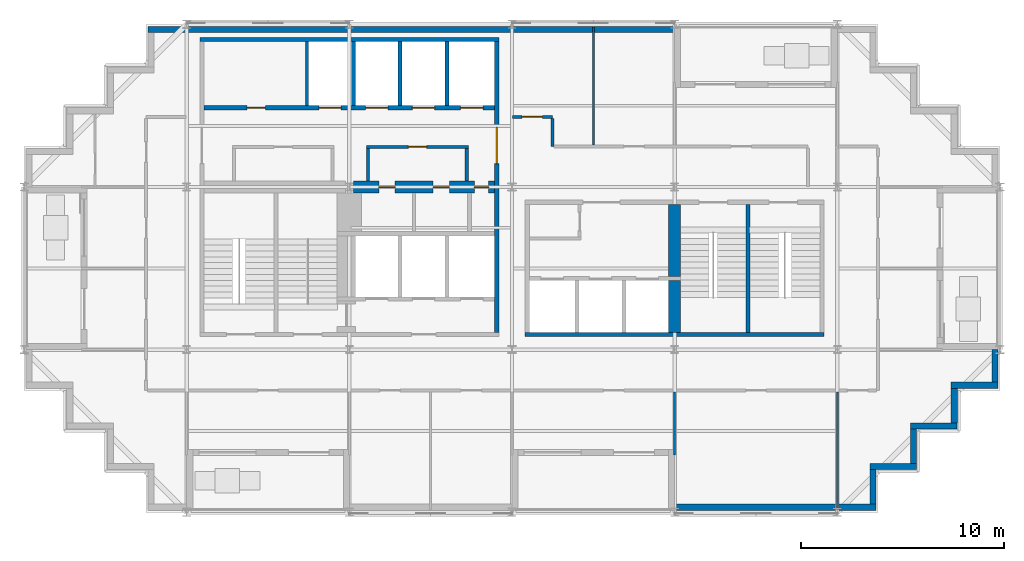
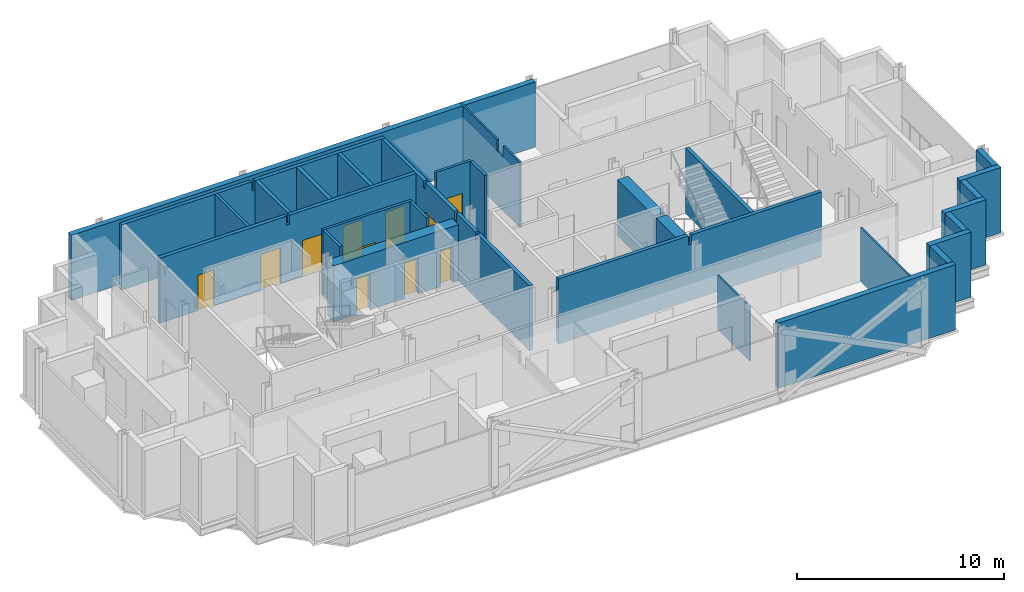
# One storey, part 6 of 10: 29 walls, 11 doors, 11 openings.
"""IFC4 building model written with IfcOpenShell, lengths in metres."""

import ifcopenshell
import ifcopenshell.guid

model = None  # the IFC model being written
_history = None  # IfcOwnerHistory: only IFC2X3 demands one
_inside = {}  # id of a spatial element -> (the spatial element, [elements in it])
_under = {}  # id of a project, library or spatial element -> (it, [spatial elements below it])
_declared = {}  # id of a project -> (the project, [libraries it declares])
_typed = {}  # id of a type object -> (the type object, [elements of that type])
_made_of = {}  # id of a material, layer set ... -> (it, [elements and type objects made of it])


def new_model(schema):
    """Start an empty IFC model of exactly this schema.

    Asked for "IFC4X3", IfcOpenShell would pick the latest addendum, in which some entities
    have other attributes; the version numbers below select the first issue.
    IFC2X3 requires an IfcOwnerHistory on every rooted entity: one is made here for all.
    """
    global model, _history
    if schema == "IFC4X3":
        model = ifcopenshell.file(schema_version=(4, 3, 0, 0))
    else:
        model = ifcopenshell.file(schema=schema)
    _inside.clear()
    _under.clear()
    _declared.clear()
    _typed.clear()
    _made_of.clear()
    _history = None
    if model.schema == "IFC2X3":
        org = make("IfcOrganization", Name="unknown")
        user = make(
            "IfcPersonAndOrganization",
            ThePerson=make("IfcPerson", FamilyName="unknown"),
            TheOrganization=org,
        )
        app = make(
            "IfcApplication",
            ApplicationDeveloper=org,
            Version="unknown",
            ApplicationFullName="unknown",
            ApplicationIdentifier="unknown",
        )
        _history = make(
            "IfcOwnerHistory",
            OwningUser=user,
            OwningApplication=app,
            ChangeAction="ADDED",
            CreationDate=0,
        )
    return model


def make(cls, **values):
    """One entity of the class cls with the attributes given. An attribute that is None is left unset."""
    return model.create_entity(
        cls, **{name: value for name, value in values.items() if value is not None}
    )


def rooted(cls, **values):
    """An entity with a GlobalId (a new one), such as an element, a storey or a relation."""
    return make(cls, GlobalId=ifcopenshell.guid.new(), OwnerHistory=_history, **values)


def si_unit(unit_type, name, prefix=None):
    """IfcSIUnit, for example si_unit("LENGTHUNIT", "METRE", prefix="MILLI")."""
    return make("IfcSIUnit", UnitType=unit_type, Prefix=prefix, Name=name)


def assignment(units):
    """IfcUnitAssignment: the units of a project."""
    return None if units is None else make("IfcUnitAssignment", Units=units)


def point(xyz):
    """IfcCartesianPoint."""
    return None if xyz is None else make("IfcCartesianPoint", Coordinates=xyz)


def direction(xyz):
    """IfcDirection."""
    return None if xyz is None else make("IfcDirection", DirectionRatios=xyz)


def frame(location, z_axis=None, x_axis=None):
    """IfcAxis2Placement3D, a coordinate frame: its origin and axes. An axis left out is left unset."""
    return make(
        "IfcAxis2Placement3D",
        Location=point(location),
        Axis=direction(z_axis),
        RefDirection=direction(x_axis),
    )


def frame_2d(location, x_axis=None):
    """IfcAxis2Placement2D, a coordinate frame in the plane: its origin and x axis."""
    return make(
        "IfcAxis2Placement2D", Location=point(location), RefDirection=direction(x_axis)
    )


def origin():
    """The frame at (0, 0, 0) with its axes left unset."""
    return frame((0.0, 0.0, 0.0))


def place(relative_to, where):
    """IfcLocalPlacement: puts the frame where relative to a parent placement (None: the world)."""
    return make(
        "IfcLocalPlacement", PlacementRelTo=relative_to, RelativePlacement=where
    )


def context(
    kind, dimensions, precision=None, world=None, true_north=None, identifier=None
):
    """IfcGeometricRepresentationContext, for example the 3D "Model" context."""
    return make(
        "IfcGeometricRepresentationContext",
        ContextIdentifier=identifier,
        ContextType=kind,
        CoordinateSpaceDimension=dimensions,
        Precision=precision,
        WorldCoordinateSystem=world,
        TrueNorth=true_north,
    )


def subcontext(parent, identifier, kind, view, scale=None):
    """IfcGeometricRepresentationSubContext, for example "Body" below "Model"."""
    return make(
        "IfcGeometricRepresentationSubContext",
        ContextIdentifier=identifier,
        ContextType=kind,
        ParentContext=parent,
        TargetScale=scale,
        TargetView=view,
    )


def project(units=None, contexts=None):
    """IfcProject with its units and contexts."""
    return rooted(
        "IfcProject",
        Name="project",
        RepresentationContexts=contexts,
        UnitsInContext=assignment(units),
    )


def spatial(cls, under=None, at=None, **own):
    """A site, building, storey or space (cls), placed at a placement, below another one or the project."""
    s = rooted(cls, ObjectPlacement=at, **own)
    if under is not None:
        _under.setdefault(under.id(), (under, []))[1].append(s)
    return s


def polyline(points):
    """IfcPolyline through the points."""
    return make("IfcPolyline", Points=[point(p) for p in points])


def profile(cls, at=None, kind="AREA", **sizes):
    """A parametric profile (cls). Its sizes go by their IFC names, for example OverallWidth=200.0."""
    return make(cls, ProfileType=kind, Position=at, **sizes)


def rectangle(**sizes):
    """IfcRectangleProfileDef."""
    return profile("IfcRectangleProfileDef", **sizes)


def outline(outer, holes=None, kind="AREA"):
    """IfcArbitraryClosedProfileDef: a profile drawn as a closed curve; with holes, ...WithVoids."""
    if holes is None:
        return make("IfcArbitraryClosedProfileDef", ProfileType=kind, OuterCurve=outer)
    return make(
        "IfcArbitraryProfileDefWithVoids",
        ProfileType=kind,
        OuterCurve=outer,
        InnerCurves=holes,
    )


def extrude(swept, where, along, depth):
    """IfcExtrudedAreaSolid: the profile swept, set in the frame where, extruded along a direction by depth."""
    return make(
        "IfcExtrudedAreaSolid",
        SweptArea=swept,
        Position=where,
        ExtrudedDirection=direction(along),
        Depth=depth,
    )


def shape(context_of_items, identifier, shape_type, items):
    """IfcShapeRepresentation: the items that make up one representation, for example the "Body"."""
    return make(
        "IfcShapeRepresentation",
        ContextOfItems=context_of_items,
        RepresentationIdentifier=identifier,
        RepresentationType=shape_type,
        Items=items,
    )


def material(Name=None, Category=None):
    """IfcMaterial."""
    return make("IfcMaterial", Name=Name, Category=Category)


def layer(
    of_material, thickness, ventilated=None, Name=None, Category=None, Priority=None
):
    """IfcMaterialLayer: one layer of a wall or slab, of a material (None: an air gap)."""
    return make(
        "IfcMaterialLayer",
        Material=of_material,
        LayerThickness=thickness,
        IsVentilated=ventilated,
        Name=Name,
        Category=Category,
        Priority=Priority,
    )


def layer_set(layers, Name=None):
    """IfcMaterialLayerSet."""
    return make("IfcMaterialLayerSet", MaterialLayers=layers, LayerSetName=Name)


def made_of(thing, what):
    """Note that an element or type object is made of a material, layer set ...; save() writes the relation."""
    if what is not None:
        _made_of.setdefault(what.id(), (what, []))[1].append(thing)
    return thing


def type_object(cls, material=None, **own):
    """A type object (cls), such as IfcWallType, which elements share."""
    return made_of(rooted(cls, **own), material)


def element(
    cls,
    number,
    at=None,
    inside=None,
    cuts=None,
    type_object=None,
    material=None,
    context=None,
    identifier="Body",
    shape_type=None,
    held_by="IfcProductDefinitionShape",
    body=None,
    shapes=None,
    **own,
):
    """One element of the class cls, such as IfcWall. Its Tag is "e" and its number.

    at: its placement. inside: the storey or other place that contains it. cuts: it is an
    opening in that element (IfcRelVoidsElement). A single representation is given by context,
    identifier, shape_type and body (its items); several are given by shapes. held_by: the class
    of the entity that holds the representations. save() writes the other relations.
    """
    e = rooted(cls, Tag="e%d" % number, ObjectPlacement=at, **own)
    if body is not None:
        shapes = [shape(context, identifier, shape_type, body)]
    if shapes is not None:
        e.Representation = make(held_by, Representations=shapes)
    if inside is not None:
        _inside.setdefault(inside.id(), (inside, []))[1].append(e)
    if cuts is not None:
        rooted(
            "IfcRelVoidsElement", RelatingBuildingElement=cuts, RelatedOpeningElement=e
        )
    if type_object is not None:
        _typed.setdefault(type_object.id(), (type_object, []))[1].append(e)
    return made_of(e, material)


def fill(opening, filler):
    """IfcRelFillsElement: the door or window that sits in an opening."""
    return rooted(
        "IfcRelFillsElement",
        RelatingOpeningElement=opening,
        RelatedBuildingElement=filler,
    )


def aggregate(whole, parts):
    """IfcRelAggregates: a whole, such as a stair, and the parts it consists of."""
    return rooted("IfcRelAggregates", RelatingObject=whole, RelatedObjects=parts)


def save(model, path):
    """Write the relations noted so far, then the file.

    IfcRelAggregates (storeys below a building ...), IfcRelContainedInSpatialStructure (elements
    in a storey), IfcRelDefinesByType, IfcRelAssociatesMaterial and IfcRelDeclares: one each for
    every whole, place, type object, material and project.
    """
    for whole, parts in _under.values():
        aggregate(whole, parts)
    for where, things in _inside.values():
        rooted(
            "IfcRelContainedInSpatialStructure",
            RelatedElements=things,
            RelatingStructure=where,
        )
    for kind, things in _typed.values():
        rooted("IfcRelDefinesByType", RelatedObjects=things, RelatingType=kind)
    for what, things in _made_of.values():
        rooted("IfcRelAssociatesMaterial", RelatedObjects=things, RelatingMaterial=what)
    for by, libraries in _declared.values():
        rooted("IfcRelDeclares", RelatingContext=by, RelatedDefinitions=libraries)
    model.write(path)


model = new_model("IFC4")

# Units and contexts
model_context = context("Model", 3, precision=1e-05, world=origin(), true_north=direction((0.0, 1.0)))
body_context = subcontext(model_context, "Body", "Model", "MODEL_VIEW")
ifc_project = project(units=[si_unit("LENGTHUNIT", "METRE"), si_unit("AREAUNIT", "SQUARE_METRE"), si_unit("VOLUMEUNIT", "CUBIC_METRE"), si_unit("PLANEANGLEUNIT", "RADIAN"), si_unit("MASSUNIT", "GRAM", prefix="KILO")], contexts=[model_context])

# Site, building, storey
site_placement = place(None, origin())
site = spatial("IfcSite", under=ifc_project, at=site_placement, CompositionType="ELEMENT")
building_placement = place(site_placement, origin())
building = spatial("IfcBuilding", under=site, at=building_placement, Name="Immortelle Media Tower", CompositionType="ELEMENT")
storey_placement = place(building_placement, frame((0.0, 0.0, 217.0)))
storey = spatial("IfcBuildingStorey", under=building, at=storey_placement, Name="L46", CompositionType="ELEMENT", Elevation=217.0)

# Wall, openings, doors
ifc_material_1 = material(Name="Fire-rated masonry blockwork", Category="masonry")
ifc_layer_1 = layer(ifc_material_1, 0.60009765625)
ifc_layer_set_1 = layer_set([ifc_layer_1], Name="Fire-rated masonry blockwork")
wall_type_1 = type_object("IfcWallType", Name="Core grid-line wall 600", PredefinedType="PARTITIONING", material=ifc_layer_set_1)
wall_1_placement = place(storey_placement, frame((16.196533203125, 16.0, 0.0), z_axis=(0.0, 0.0, 1.0), x_axis=(1.0, 0.0, 0.0)))
wall_1 = element("IfcWall", 1, at=wall_1_placement, inside=storey, type_object=wall_type_1, Name="Core grid-line wall SW", PredefinedType="PARTITIONING", context=body_context, shape_type="SweptSolid", body=[
    extrude(rectangle(XDim=6.953369140625, YDim=0.60009765625, at=frame_2d((3.4765625, 0.0))), origin(), (0.0, 0.0, 1.0), 3.30810546875),
])
opening_1_placement = place(wall_1_placement, frame((2.053466796875, 0.0, 0.0), z_axis=(0.0, 0.0, 1.0), x_axis=(-1.0, 0.0, 0.0)))
opening_1 = element("IfcOpeningElement", 2, at=opening_1_placement, cuts=wall_1, Name="Opening O4-K010", PredefinedType="OPENING", context=body_context, shape_type="SweptSolid", body=[
    extrude(rectangle(XDim=0.800048828125, YDim=2.10009765625, at=frame_2d((0.39990234375, 1.050048828125))), frame((0.0, 0.31005859375, 0.0), z_axis=(0.0, -1.0, 0.0), x_axis=(1.0, 0.0, 0.0)), (0.0, 0.0, 1.0), 0.6201171875),
])
opening_2_placement = place(wall_1_placement, frame((4.728515625, 0.0, 0.0), z_axis=(0.0, 0.0, 1.0), x_axis=(-1.0, 0.0, 0.0)))
opening_2 = element("IfcOpeningElement", 3, at=opening_2_placement, cuts=wall_1, Name="Opening O4-K015", PredefinedType="OPENING", context=body_context, shape_type="SweptSolid", body=[
    extrude(rectangle(XDim=0.800048828125, YDim=2.10009765625, at=frame_2d((0.39990234375, 1.050048828125))), frame((0.0, 0.31005859375, 0.0), z_axis=(0.0, -1.0, 0.0), x_axis=(1.0, 0.0, 0.0)), (0.0, 0.0, 1.0), 0.6201171875),
])
opening_3_placement = place(wall_1_placement, frame((6.653564453125, 0.0, 0.0), z_axis=(0.0, 0.0, 1.0), x_axis=(-1.0, 0.0, 0.0)))
opening_3 = element("IfcOpeningElement", 4, at=opening_3_placement, cuts=wall_1, Name="Opening O4-K018", PredefinedType="OPENING", context=body_context, shape_type="SweptSolid", body=[
    extrude(rectangle(XDim=0.699951171875, YDim=2.10009765625, at=frame_2d((0.35009765625, 1.050048828125))), frame((0.0, 0.31005859375, 0.0), z_axis=(0.0, -1.0, 0.0), x_axis=(1.0, 0.0, 0.0)), (0.0, 0.0, 1.0), 0.6201171875),
])
ifc_material_2 = material(Name="Galvanised steel door leaf and frame ASTM A653", Category="steel")
door_type_1 = type_object("IfcDoorType", Name="Service door 700 x 2100", OperationType="NOTDEFINED", PredefinedType="NOTDEFINED", material=ifc_material_2)
door_1_placement = place(opening_3_placement, origin())
door_1 = element("IfcDoor", 5, at=door_1_placement, inside=storey, type_object=door_type_1, Name="Service O4-K018", OperationType="SINGLE_SWING_LEFT", OverallHeight=2.10009765625, OverallWidth=0.699951171875, PredefinedType="NOTDEFINED", context=body_context, shape_type="SweptSolid", body=[
    extrude(rectangle(XDim=0.699951171875, YDim=2.10009765625, at=frame_2d((0.35009765625, 1.050048828125))), frame((0.0, 0.02490234375, 0.0), z_axis=(0.0, -1.0, 0.0), x_axis=(1.0, 0.0, 0.0)), (0.0, 0.0, 1.0), 0.050048828125),
])
fill(opening_3, door_1)
ifc_material_3 = material(Name="Timber", Category="wood")
door_type_2 = type_object("IfcDoorType", Name="Toilet door 800 x 2100", OperationType="NOTDEFINED", PredefinedType="NOTDEFINED", material=ifc_material_3)
door_2_placement = place(opening_1_placement, origin())
door_2 = element("IfcDoor", 6, at=door_2_placement, inside=storey, type_object=door_type_2, Name="Toilet O4-K010", OperationType="SINGLE_SWING_LEFT", OverallHeight=2.10009765625, OverallWidth=0.800048828125, PredefinedType="NOTDEFINED", context=body_context, shape_type="SweptSolid", body=[
    extrude(rectangle(XDim=0.800048828125, YDim=2.10009765625, at=frame_2d((0.39990234375, 1.050048828125))), frame((0.0, 0.02490234375, 0.0), z_axis=(0.0, -1.0, 0.0), x_axis=(1.0, 0.0, 0.0)), (0.0, 0.0, 1.0), 0.050048828125),
])
fill(opening_1, door_2)
door_3_placement = place(opening_2_placement, origin())
door_3 = element("IfcDoor", 7, at=door_3_placement, inside=storey, type_object=door_type_2, Name="Toilet O4-K015", OperationType="SINGLE_SWING_LEFT", OverallHeight=2.10009765625, OverallWidth=0.800048828125, PredefinedType="NOTDEFINED", context=body_context, shape_type="SweptSolid", body=[
    extrude(rectangle(XDim=0.800048828125, YDim=2.10009765625, at=frame_2d((0.39990234375, 1.050048828125))), frame((0.0, 0.02490234375, 0.0), z_axis=(0.0, -1.0, 0.0), x_axis=(1.0, 0.0, 0.0)), (0.0, 0.0, 1.0), 0.050048828125),
])
fill(opening_2, door_3)

# Walls
ifc_material_4 = material(Name="Fire-rated gypsum board", Category="gypsum")
ifc_layer_2 = layer(ifc_material_4, 0.02490234375)
ifc_material_5 = material(Name="Steel ASTM A653 SS Gr 50 stud frame with mineral wool", Category="steel")
ifc_layer_3 = layer(ifc_material_5, 0.10009765625)
ifc_layer_4 = layer(ifc_material_4, 0.02490234375)
ifc_layer_set_2 = layer_set([ifc_layer_2, ifc_layer_3, ifc_layer_4], Name="Steel ASTM A653 SS Gr 50 stud frame with mineral wool")
wall_type_2 = type_object("IfcWallType", Name="Core partition 150", PredefinedType="PARTITIONING", material=ifc_layer_set_2)
wall_2_placement = place(storey_placement, frame((13.925048828125, 20.0, 0.0), z_axis=(0.0, 0.0, 1.0), x_axis=(0.0, 1.0, 0.0)))
element("IfcWall", 8, at=wall_2_placement, inside=storey, type_object=wall_type_2, Name="Core partition SW", PredefinedType="PARTITIONING", context=body_context, shape_type="SweptSolid", body=[
    extrude(rectangle(XDim=3.14990234375, YDim=0.14990234375, at=frame_2d((1.574951171875, 0.0))), origin(), (0.0, 0.0, 1.0), 3.85009765625),
])
wall_3_placement = place(storey_placement, frame((16.925048828125, 16.300048828125, 0.0), z_axis=(0.0, 0.0, 1.0), x_axis=(0.0, 1.0, 0.0)))
element("IfcWall", 9, at=wall_3_placement, inside=storey, type_object=wall_type_2, Name="Core partition SW", PredefinedType="PARTITIONING", context=body_context, shape_type="SweptSolid", body=[
    extrude(rectangle(XDim=1.599853515625, YDim=0.14990234375, at=frame_2d((0.7998046875, 0.0))), origin(), (0.0, 0.0, 1.0), 3.85009765625),
])

# Wall, opening, door
wall_4_placement = place(storey_placement, frame((16.85009765625, 17.97509765625, 0.0), z_axis=(0.0, 0.0, 1.0), x_axis=(1.0, 0.0, 0.0)))
wall_4 = element("IfcWall", 10, at=wall_4_placement, inside=storey, type_object=wall_type_2, Name="Core partition SW", PredefinedType="PARTITIONING", context=body_context, shape_type="SweptSolid", body=[
    extrude(rectangle(XDim=5.0, YDim=0.14990234375, at=frame_2d((2.5, 0.0))), origin(), (0.0, 0.0, 1.0), 3.85009765625),
])
opening_4_placement = place(wall_4_placement, frame((2.949951171875, 0.0, 0.0), z_axis=(0.0, 0.0, 1.0), x_axis=(-1.0, 0.0, 0.0)))
opening_4 = element("IfcOpeningElement", 11, at=opening_4_placement, cuts=wall_4, Name="Opening O4-K011", PredefinedType="OPENING", context=body_context, shape_type="SweptSolid", body=[
    extrude(rectangle(XDim=0.89990234375, YDim=2.10009765625, at=frame_2d((0.449951171875, 1.050048828125))), frame((0.0, 0.0849609375, 0.0), z_axis=(0.0, -1.0, 0.0), x_axis=(1.0, 0.0, 0.0)), (0.0, 0.0, 1.0), 0.169921875),
])
door_type_3 = type_object("IfcDoorType", Name="Room door 900 x 2100", OperationType="NOTDEFINED", PredefinedType="NOTDEFINED", material=ifc_material_3)
door_4_placement = place(opening_4_placement, origin())
door_4 = element("IfcDoor", 12, at=door_4_placement, inside=storey, type_object=door_type_3, Name="Room O4-K011", OperationType="SINGLE_SWING_LEFT", OverallHeight=2.10009765625, OverallWidth=0.89990234375, PredefinedType="NOTDEFINED", context=body_context, shape_type="SweptSolid", body=[
    extrude(rectangle(XDim=0.89990234375, YDim=2.10009765625, at=frame_2d((0.449951171875, 1.050048828125))), frame((0.0, 0.02490234375, 0.0), z_axis=(0.0, -1.0, 0.0), x_axis=(1.0, 0.0, 0.0)), (0.0, 0.0, 1.0), 0.050048828125),
])
fill(opening_4, door_4)

# Walls
wall_5_placement = place(storey_placement, frame((21.77490234375, 16.300048828125, 0.0), z_axis=(0.0, 0.0, 1.0), x_axis=(0.0, 1.0, 0.0)))
element("IfcWall", 13, at=wall_5_placement, inside=storey, type_object=wall_type_2, Name="Core partition SW", PredefinedType="PARTITIONING", context=body_context, shape_type="SweptSolid", body=[
    extrude(rectangle(XDim=1.599853515625, YDim=0.14990234375, at=frame_2d((0.7998046875, 0.0))), origin(), (0.0, 0.0, 1.0), 3.85009765625),
])
ifc_layer_5 = layer(ifc_material_4, 0.03759765625)
ifc_layer_6 = layer(ifc_material_5, 0.125)
ifc_layer_7 = layer(ifc_material_4, 0.03759765625)
ifc_layer_set_3 = layer_set([ifc_layer_5, ifc_layer_6, ifc_layer_7], Name="Steel ASTM A653 SS Gr 50 stud frame with mineral wool")
wall_type_3 = type_object("IfcWallType", Name="Core shaft wall 200", PredefinedType="PARTITIONING", material=ifc_layer_set_3)
wall_6_placement = place(storey_placement, frame((8.64990234375, 23.25, 0.0), z_axis=(0.0, 0.0, 1.0), x_axis=(1.0, 0.0, 0.0)))
element("IfcWall", 14, at=wall_6_placement, inside=storey, type_object=wall_type_3, Name="Core shaft wall SW", PredefinedType="PARTITIONING", context=body_context, shape_type="SweptSolid", body=[
    extrude(outline(polyline([(0.0, 0.0), (14.7001953125, 0.0), (14.699951171875, 3.85009765625), (7.4384765625, 3.85009765625), (7.4375, 3.30810546875), (7.262451171875, 3.30810546875), (7.261474609375, 3.85009765625), (0.0, 3.85009765625), (0.0, 0.0)])), frame((0.0, 0.10009765625, 0.0), z_axis=(0.0, -1.0, 0.0), x_axis=(1.0, 0.0, 0.0)), (0.0, 0.0, 1.0), 0.199951171875),
])

# Wall, openings, doors
wall_7_placement = place(storey_placement, frame((8.85009765625, 19.89990234375, 0.0), z_axis=(0.0, 0.0, 1.0), x_axis=(1.0, 0.0, 0.0)))
wall_7 = element("IfcWall", 15, at=wall_7_placement, inside=storey, type_object=wall_type_3, Name="Core shaft wall SW", PredefinedType="PARTITIONING", context=body_context, shape_type="SweptSolid", body=[
    extrude(outline(polyline([(0.0, 0.0), (14.2998046875, 0.0), (14.300048828125, 3.85009765625), (7.238525390625, 3.85009765625), (7.237548828125, 3.30810546875), (7.0625, 3.30810546875), (7.0615234375, 3.85009765625), (0.0, 3.85009765625), (0.0, 0.0)])), frame((0.0, 0.10009765625, 0.0), z_axis=(0.0, -1.0, 0.0), x_axis=(1.0, 0.0, 0.0)), (0.0, 0.0, 1.0), 0.199951171875),
])
opening_5_placement = place(wall_7_placement, frame((2.125, 0.0, 0.0)))
opening_5 = element("IfcOpeningElement", 16, at=opening_5_placement, cuts=wall_7, Name="Opening O4-K003", PredefinedType="OPENING", context=body_context, shape_type="SweptSolid", body=[
    extrude(rectangle(XDim=0.89990234375, YDim=2.10009765625, at=frame_2d((0.449951171875, 1.050048828125))), frame((0.0, 0.10986328125, 0.0), z_axis=(0.0, -1.0, 0.0), x_axis=(1.0, 0.0, 0.0)), (0.0, 0.0, 1.0), 0.219970703125),
])
opening_6_placement = place(wall_7_placement, frame((5.64990234375, 0.0, 0.0)))
opening_6 = element("IfcOpeningElement", 17, at=opening_6_placement, cuts=wall_7, Name="Opening LD", PredefinedType="OPENING", context=body_context, shape_type="SweptSolid", body=[
    extrude(rectangle(XDim=1.10009765625, YDim=2.10009765625, at=frame_2d((0.550048828125, 1.050048828125))), frame((0.0, 0.10986328125, 0.0), z_axis=(0.0, -1.0, 0.0), x_axis=(1.0, 0.0, 0.0)), (0.0, 0.0, 1.0), 0.219970703125),
])
opening_7_placement = place(wall_7_placement, frame((7.949951171875, 0.0, 0.0)))
opening_7 = element("IfcOpeningElement", 18, at=opening_7_placement, cuts=wall_7, Name="Opening LD", PredefinedType="OPENING", context=body_context, shape_type="SweptSolid", body=[
    extrude(rectangle(XDim=1.10009765625, YDim=2.10009765625, at=frame_2d((0.550048828125, 1.050048828125))), frame((0.0, 0.10986328125, 0.0), z_axis=(0.0, -1.0, 0.0), x_axis=(1.0, 0.0, 0.0)), (0.0, 0.0, 1.0), 0.219970703125),
])
opening_8_placement = place(wall_7_placement, frame((10.25, 0.0, 0.0)))
opening_8 = element("IfcOpeningElement", 19, at=opening_8_placement, cuts=wall_7, Name="Opening LD", PredefinedType="OPENING", context=body_context, shape_type="SweptSolid", body=[
    extrude(rectangle(XDim=1.10009765625, YDim=2.10009765625, at=frame_2d((0.550048828125, 1.050048828125))), frame((0.0, 0.10986328125, 0.0), z_axis=(0.0, -1.0, 0.0), x_axis=(1.0, 0.0, 0.0)), (0.0, 0.0, 1.0), 0.219970703125),
])
opening_9_placement = place(wall_7_placement, frame((12.625, 0.0, 0.0)))
opening_9 = element("IfcOpeningElement", 20, at=opening_9_placement, cuts=wall_7, Name="Opening LD", PredefinedType="OPENING", context=body_context, shape_type="SweptSolid", body=[
    extrude(rectangle(XDim=1.10009765625, YDim=2.10009765625, at=frame_2d((0.550048828125, 1.050048828125))), frame((0.0, 0.10986328125, 0.0), z_axis=(0.0, -1.0, 0.0), x_axis=(1.0, 0.0, 0.0)), (0.0, 0.0, 1.0), 0.219970703125),
])
ifc_material_6 = material(Name="Stainless steel AISI 304", Category="steel")
door_type_4 = type_object("IfcDoorType", Name="Landing door 1100 x 2100", OperationType="SLIDING_TO_LEFT", PredefinedType="NOTDEFINED", material=ifc_material_6)
door_5_placement = place(opening_6_placement, origin())
door_5 = element("IfcDoor", 21, at=door_5_placement, inside=storey, type_object=door_type_4, Name="Landing door HR1 L46", OperationType="SLIDING_TO_LEFT", OverallHeight=2.10009765625, OverallWidth=1.10009765625, PredefinedType="NOTDEFINED", context=body_context, shape_type="SweptSolid", body=[
    extrude(rectangle(XDim=1.10009765625, YDim=2.10009765625, at=frame_2d((0.550048828125, 1.050048828125))), frame((0.0, 0.02490234375, 0.0), z_axis=(0.0, -1.0, 0.0), x_axis=(1.0, 0.0, 0.0)), (0.0, 0.0, 1.0), 0.050048828125),
])
fill(opening_6, door_5)
door_6_placement = place(opening_7_placement, origin())
door_6 = element("IfcDoor", 22, at=door_6_placement, inside=storey, type_object=door_type_4, Name="Landing door HR2 L46", OperationType="SLIDING_TO_LEFT", OverallHeight=2.10009765625, OverallWidth=1.10009765625, PredefinedType="NOTDEFINED", context=body_context, shape_type="SweptSolid", body=[
    extrude(rectangle(XDim=1.10009765625, YDim=2.10009765625, at=frame_2d((0.550048828125, 1.050048828125))), frame((0.0, 0.02490234375, 0.0), z_axis=(0.0, -1.0, 0.0), x_axis=(1.0, 0.0, 0.0)), (0.0, 0.0, 1.0), 0.050048828125),
])
fill(opening_7, door_6)
door_7_placement = place(opening_8_placement, origin())
door_7 = element("IfcDoor", 23, at=door_7_placement, inside=storey, type_object=door_type_4, Name="Landing door HR3 L46", OperationType="SLIDING_TO_LEFT", OverallHeight=2.10009765625, OverallWidth=1.10009765625, PredefinedType="NOTDEFINED", context=body_context, shape_type="SweptSolid", body=[
    extrude(rectangle(XDim=1.10009765625, YDim=2.10009765625, at=frame_2d((0.550048828125, 1.050048828125))), frame((0.0, 0.02490234375, 0.0), z_axis=(0.0, -1.0, 0.0), x_axis=(1.0, 0.0, 0.0)), (0.0, 0.0, 1.0), 0.050048828125),
])
fill(opening_8, door_7)
door_8_placement = place(opening_9_placement, origin())
door_8 = element("IfcDoor", 24, at=door_8_placement, inside=storey, type_object=door_type_4, Name="Landing door HR4 L46", OperationType="SLIDING_TO_LEFT", OverallHeight=2.10009765625, OverallWidth=1.10009765625, PredefinedType="NOTDEFINED", context=body_context, shape_type="SweptSolid", body=[
    extrude(rectangle(XDim=1.10009765625, YDim=2.10009765625, at=frame_2d((0.550048828125, 1.050048828125))), frame((0.0, 0.02490234375, 0.0), z_axis=(0.0, -1.0, 0.0), x_axis=(1.0, 0.0, 0.0)), (0.0, 0.0, 1.0), 0.050048828125),
])
fill(opening_9, door_8)
door_9_placement = place(opening_5_placement, origin())
door_9 = element("IfcDoor", 25, at=door_9_placement, inside=storey, type_object=door_type_3, Name="Room O4-K003", OperationType="SINGLE_SWING_RIGHT", OverallHeight=2.10009765625, OverallWidth=0.89990234375, PredefinedType="NOTDEFINED", context=body_context, shape_type="SweptSolid", body=[
    extrude(rectangle(XDim=0.89990234375, YDim=2.10009765625, at=frame_2d((0.449951171875, 1.050048828125))), frame((0.0, 0.02490234375, 0.0), z_axis=(0.0, -1.0, 0.0), x_axis=(1.0, 0.0, 0.0)), (0.0, 0.0, 1.0), 0.050048828125),
])
fill(opening_5, door_9)

# Walls
for number, where, z_axis, x_axis, name in (
    (26, (16.199951171875, 20.0, 0.0), (0.0, 0.0, 1.0), (0.0, 1.0, 0.0), "Core shaft wall SW"),
    (27, (18.5, 20.0, 0.0), (0.0, 0.0, 1.0), (0.0, 1.0, 0.0), "Core shaft wall SW"),
    (28, (20.800048828125, 20.0, 0.0), (0.0, 0.0, 1.0), (0.0, 1.0, 0.0), "Core shaft wall SW"),
):
    element("IfcWall", number, at=place(storey_placement, frame(where, z_axis=z_axis, x_axis=x_axis)), inside=storey, type_object=wall_type_3, Name=name, PredefinedType="PARTITIONING", context=body_context, shape_type="SweptSolid", body=[
        extrude(rectangle(XDim=3.14990234375, YDim=0.199951171875, at=frame_2d((1.574951171875, 0.0))), origin(), (0.0, 0.0, 1.0), 3.85009765625),
    ])

# Wall, opening, door
wall_8_placement = place(storey_placement, frame((23.25, 8.85009765625, 0.0), z_axis=(0.0, 0.0, 1.0), x_axis=(0.0, 1.0, 0.0)))
wall_8 = element("IfcWall", 29, at=wall_8_placement, inside=storey, type_object=wall_type_3, Name="Core shaft wall SW", PredefinedType="PARTITIONING", context=body_context, shape_type="SweptSolid", body=[
    extrude(outline(polyline([(0.0, 0.0), (14.2998046875, 0.0), (14.300048828125, 3.85009765625), (10.22509765625, 3.85009765625), (10.22412109375, 3.43994140625), (10.075927734375, 3.43994140625), (10.074951171875, 3.85009765625), (7.238525390625, 3.85009765625), (7.237548828125, 3.30810546875), (7.0625, 3.30810546875), (7.0615234375, 3.85009765625), (5.22509765625, 3.85009765625), (5.22412109375, 3.43994140625), (5.075927734375, 3.43994140625), (5.074951171875, 3.85009765625), (0.0, 3.85009765625), (0.0, 0.0)])), frame((0.0, 0.10009765625, 0.0), z_axis=(0.0, -1.0, 0.0), x_axis=(1.0, 0.0, 0.0)), (0.0, 0.0, 1.0), 0.199951171875),
])
opening_10_placement = place(wall_8_placement, frame((8.300048828125, 0.0, 0.0)))
opening_10 = element("IfcOpeningElement", 30, at=opening_10_placement, cuts=wall_8, Name="Opening O4-K019", PredefinedType="OPENING", context=body_context, shape_type="SweptSolid", body=[
    extrude(rectangle(XDim=1.800048828125, YDim=2.10009765625, at=frame_2d((0.89990234375, 1.050048828125))), frame((0.0, 0.10986328125, 0.0), z_axis=(0.0, -1.0, 0.0), x_axis=(1.0, 0.0, 0.0)), (0.0, 0.0, 1.0), 0.219970703125),
])
door_type_5 = type_object("IfcDoorType", Name="Lift lobby door 1800 x 2100", OperationType="DOUBLE_DOOR_SINGLE_SWING", PredefinedType="NOTDEFINED", material=ifc_material_2)
door_10_placement = place(opening_10_placement, origin())
door_10 = element("IfcDoor", 31, at=door_10_placement, inside=storey, type_object=door_type_5, Name="Lift lobby O4-K019", OperationType="DOUBLE_DOOR_SINGLE_SWING", OverallHeight=2.10009765625, OverallWidth=1.800048828125, PredefinedType="NOTDEFINED", context=body_context, shape_type="SweptSolid", body=[
    extrude(rectangle(XDim=1.800048828125, YDim=2.10009765625, at=frame_2d((0.89990234375, 1.050048828125))), frame((0.0, 0.02490234375, 0.0), z_axis=(0.0, -1.0, 0.0), x_axis=(1.0, 0.0, 0.0)), (0.0, 0.0, 1.0), 0.050048828125),
])
fill(opening_10, door_10)

# Wall
ifc_layer_8 = layer(ifc_material_4, 0.012451171875)
ifc_layer_9 = layer(ifc_material_5, 0.125)
ifc_layer_10 = layer(ifc_material_4, 0.012451171875)
ifc_layer_set_4 = layer_set([ifc_layer_8, ifc_layer_9, ifc_layer_10], Name="Steel ASTM A653 SS Gr 50 stud frame with mineral wool")
wall_type_4 = type_object("IfcWallType", Name="Corridor wall 150", PredefinedType="PARTITIONING", material=ifc_layer_set_4)
wall_9_placement = place(storey_placement, frame((26.0, 18.0, 0.0), z_axis=(0.0, 0.0, 1.0), x_axis=(0.0, 1.0, 0.0)))
element("IfcWall", 32, at=wall_9_placement, inside=storey, type_object=wall_type_4, Name="Partition L46-021", PredefinedType="PARTITIONING", context=body_context, shape_type="SweptSolid", body=[
    extrude(rectangle(XDim=1.375, YDim=0.14990234375, at=frame_2d((0.6875, 0.0))), origin(), (0.0, 0.0, 1.0), 3.85009765625),
])

# Wall, opening, door
wall_10_placement = place(storey_placement, frame((24.030029296875, 19.449951171875, 0.0), z_axis=(0.0, 0.0, 1.0), x_axis=(1.0, 0.0, 0.0)))
wall_10 = element("IfcWall", 33, at=wall_10_placement, inside=storey, type_object=wall_type_4, Name="Partition L46-027", PredefinedType="PARTITIONING", context=body_context, shape_type="SweptSolid", body=[
    extrude(rectangle(XDim=1.969970703125, YDim=0.14990234375, at=frame_2d((0.98486328125, 0.0))), origin(), (0.0, 0.0, 1.0), 3.85009765625),
])
opening_11_placement = place(wall_10_placement, frame((0.469970703125, 0.0, 0.0)))
opening_11 = element("IfcOpeningElement", 34, at=opening_11_placement, cuts=wall_10, Name="Opening O4-F016", PredefinedType="OPENING", context=body_context, shape_type="SweptSolid", body=[
    extrude(rectangle(XDim=1.0, YDim=2.10009765625, at=frame_2d((0.5, 1.050048828125))), frame((0.0, 0.0849609375, 0.0), z_axis=(0.0, -1.0, 0.0), x_axis=(1.0, 0.0, 0.0)), (0.0, 0.0, 1.0), 0.169921875),
])
ifc_material_7 = material(Name="Timber veneered door leaf, galvanised steel frame ASTM A653", Category="steel")
door_type_6 = type_object("IfcDoorType", Name="Room door 1000 x 2100", OperationType="NOTDEFINED", PredefinedType="DOOR", material=ifc_material_7)
door_11_placement = place(opening_11_placement, origin())
door_11 = element("IfcDoor", 35, at=door_11_placement, inside=storey, type_object=door_type_6, Name="Door O4-F016", OperationType="SINGLE_SWING_LEFT", OverallHeight=2.10009765625, OverallWidth=1.0, PredefinedType="DOOR", context=body_context, shape_type="SweptSolid", body=[
    extrude(rectangle(XDim=1.0, YDim=2.10009765625, at=frame_2d((0.5, 1.050048828125))), frame((0.0, 0.02490234375, 0.0), z_axis=(0.0, -1.0, 0.0), x_axis=(1.0, 0.0, 0.0)), (0.0, 0.0, 1.0), 0.050048828125),
])
fill(opening_11, door_11)

# Walls
ifc_material_8 = material(Name="Pale aluminium cladding panel", Category="aluminium")
ifc_layer_11 = layer(ifc_material_8, 0.030029296875)
ifc_layer_12 = layer(ifc_material_5, 0.257568359375)
ifc_material_9 = material(Name="Moisture-resistant gypsum board", Category="gypsum")
ifc_layer_13 = layer(ifc_material_9, 0.012451171875)
ifc_layer_set_5 = layer_set([ifc_layer_11, ifc_layer_12, ifc_layer_13], Name="Steel ASTM A653 SS Gr 50 stud frame with mineral wool")
wall_type_5 = type_object("IfcWallType", Name="Facade wall 300", PredefinedType="SOLIDWALL", material=ifc_layer_set_5)
wall_11_placement = place(storey_placement, frame((32.0, 0.25, 0.0), z_axis=(0.0, 0.0, 1.0), x_axis=(1.0, 0.0, 0.0)))
element("IfcWall", 36, at=wall_11_placement, inside=storey, type_object=wall_type_5, Name="Facade wall L46 S6", PredefinedType="SOLIDWALL", context=body_context, shape_type="SweptSolid", body=[
    extrude(rectangle(XDim=9.89990234375, YDim=0.300048828125, at=frame_2d((4.949951171875, 0.0))), origin(), (0.0, 0.0, 1.0), 3.85009765625),
])
wall_12_placement = place(storey_placement, frame((41.75, 0.39990234375, 0.0), z_axis=(0.0, 0.0, 1.0), x_axis=(0.0, 1.0, 0.0)))
element("IfcWall", 37, at=wall_12_placement, inside=storey, type_object=wall_type_5, Name="Facade wall L46 E7", PredefinedType="SOLIDWALL", context=body_context, shape_type="SweptSolid", body=[
    extrude(rectangle(XDim=1.7001953125, YDim=0.300048828125, at=frame_2d((0.85009765625, 0.0))), origin(), (0.0, 0.0, 1.0), 3.85009765625),
])
wall_13_placement = place(storey_placement, frame((41.60009765625, 2.25, 0.0), z_axis=(0.0, 0.0, 1.0), x_axis=(1.0, 0.0, 0.0)))
element("IfcWall", 38, at=wall_13_placement, inside=storey, type_object=wall_type_5, Name="Facade wall L46 S8", PredefinedType="SOLIDWALL", context=body_context, shape_type="SweptSolid", body=[
    extrude(rectangle(XDim=2.2998046875, YDim=0.300048828125, at=frame_2d((1.14990234375, 0.0))), origin(), (0.0, 0.0, 1.0), 3.85009765625),
])
wall_14_placement = place(storey_placement, frame((43.75, 2.39990234375, 0.0), z_axis=(0.0, 0.0, 1.0), x_axis=(0.0, 1.0, 0.0)))
element("IfcWall", 39, at=wall_14_placement, inside=storey, type_object=wall_type_5, Name="Facade wall L46 E9", PredefinedType="SOLIDWALL", context=body_context, shape_type="SweptSolid", body=[
    extrude(rectangle(XDim=1.7001953125, YDim=0.300048828125, at=frame_2d((0.85009765625, 0.0))), origin(), (0.0, 0.0, 1.0), 3.85009765625),
])
wall_15_placement = place(storey_placement, frame((43.60009765625, 4.25, 0.0), z_axis=(0.0, 0.0, 1.0), x_axis=(1.0, 0.0, 0.0)))
element("IfcWall", 40, at=wall_15_placement, inside=storey, type_object=wall_type_5, Name="Facade wall L46 S10", PredefinedType="SOLIDWALL", context=body_context, shape_type="SweptSolid", body=[
    extrude(rectangle(XDim=2.2998046875, YDim=0.300048828125, at=frame_2d((1.14990234375, 0.0))), origin(), (0.0, 0.0, 1.0), 3.85009765625),
])
wall_16_placement = place(storey_placement, frame((45.75, 4.39990234375, 0.0), z_axis=(0.0, 0.0, 1.0), x_axis=(0.0, 1.0, 0.0)))
element("IfcWall", 41, at=wall_16_placement, inside=storey, type_object=wall_type_5, Name="Facade wall L46 E11", PredefinedType="SOLIDWALL", context=body_context, shape_type="SweptSolid", body=[
    extrude(rectangle(XDim=1.7001953125, YDim=0.300048828125, at=frame_2d((0.85009765625, 0.0))), origin(), (0.0, 0.0, 1.0), 3.85009765625),
])
wall_17_placement = place(storey_placement, frame((45.60009765625, 6.25, 0.0), z_axis=(0.0, 0.0, 1.0), x_axis=(1.0, 0.0, 0.0)))
element("IfcWall", 42, at=wall_17_placement, inside=storey, type_object=wall_type_5, Name="Facade wall L46 S12", PredefinedType="SOLIDWALL", context=body_context, shape_type="SweptSolid", body=[
    extrude(rectangle(XDim=2.2998046875, YDim=0.300048828125, at=frame_2d((1.14990234375, 0.0))), origin(), (0.0, 0.0, 1.0), 3.85009765625),
])
wall_18_placement = place(storey_placement, frame((47.75, 6.39990234375, 0.0), z_axis=(0.0, 0.0, 1.0), x_axis=(0.0, 1.0, 0.0)))
element("IfcWall", 43, at=wall_18_placement, inside=storey, type_object=wall_type_5, Name="Facade wall L46 E13", PredefinedType="SOLIDWALL", context=body_context, shape_type="SweptSolid", body=[
    extrude(rectangle(XDim=1.60009765625, YDim=0.300048828125, at=frame_2d((0.800048828125, 0.0))), origin(), (0.0, 0.0, 1.0), 3.85009765625),
])
wall_19_placement = place(storey_placement, frame((32.0, 23.75, 0.0), z_axis=(0.0, 0.0, 1.0), x_axis=(-1.0, 0.0, 0.0)))
element("IfcWall", 44, at=wall_19_placement, inside=storey, type_object=wall_type_5, Name="Facade wall L46 N20", PredefinedType="SOLIDWALL", context=body_context, shape_type="SweptSolid", body=[
    extrude(rectangle(XDim=25.89990234375, YDim=0.300048828125, at=frame_2d((12.949951171875, 0.0))), origin(), (0.0, 0.0, 1.0), 3.85009765625),
])
ifc_material_10 = material(Name="Gypsum board", Category="gypsum")
ifc_layer_14 = layer(ifc_material_10, 0.012451171875)
ifc_layer_15 = layer(ifc_material_5, 0.074951171875)
ifc_layer_16 = layer(ifc_material_10, 0.012451171875)
ifc_layer_set_6 = layer_set([ifc_layer_14, ifc_layer_15, ifc_layer_16], Name="Steel ASTM A653 SS Gr 50 stud frame with mineral wool")
wall_type_6 = type_object("IfcWallType", Name="Partition 100", PredefinedType="PARTITIONING", material=ifc_layer_set_6)
wall_20_placement = place(storey_placement, frame((40.0, 0.1298828125, 0.0), z_axis=(0.0, 0.0, 1.0), x_axis=(0.0, 1.0, 0.0)))
element("IfcWall", 45, at=wall_20_placement, inside=storey, type_object=wall_type_6, Name="Partition L46-002", PredefinedType="PARTITIONING", context=body_context, shape_type="SweptSolid", body=[
    extrude(rectangle(XDim=5.795166015625, YDim=0.10009765625, at=frame_2d((2.8974609375, 0.0))), origin(), (0.0, 0.0, 1.0), 3.172119140625),
])
wall_21_placement = place(storey_placement, frame((32.0, 2.830078125, 0.0), z_axis=(0.0, 0.0, 1.0), x_axis=(0.0, 1.0, 0.0)))
element("IfcWall", 46, at=wall_21_placement, inside=storey, type_object=wall_type_6, Name="Partition L46-006", PredefinedType="PARTITIONING", context=body_context, shape_type="SweptSolid", body=[
    extrude(rectangle(XDim=3.094970703125, YDim=0.10009765625, at=frame_2d((1.54736328125, 0.0))), origin(), (0.0, 0.0, 1.0), 3.172119140625),
])
wall_22_placement = place(storey_placement, frame((28.0, 18.074951171875, 0.0), z_axis=(0.0, 0.0, 1.0), x_axis=(0.0, 1.0, 0.0)))
element("IfcWall", 47, at=wall_22_placement, inside=storey, type_object=wall_type_6, Name="Partition L46-022", PredefinedType="PARTITIONING", context=body_context, shape_type="SweptSolid", body=[
    extrude(outline(polyline([(0.0, 0.0), (5.795166015625, 0.0), (5.794921875, 3.85009765625), (2.22509765625, 3.85009765625), (2.222900390625, 3.172119140625), (1.626953125, 3.172119140625), (1.625, 3.85009765625), (0.0, 3.85009765625), (0.0, 0.0)])), frame((0.0, 0.050048828125, 0.0), z_axis=(0.0, -1.0, 0.0), x_axis=(1.0, 0.0, 0.0)), (0.0, 0.0, 1.0), 0.10009765625),
])
ifc_material_11 = material(Name="Concrete C60", Category="concrete")
ifc_layer_17 = layer(ifc_material_11, 0.199951171875)
ifc_layer_set_7 = layer_set([ifc_layer_17], Name="Concrete C60")
wall_type_7 = type_object("IfcWallType", Name="Stair shaft wall 200", PredefinedType="PARTITIONING", material=ifc_layer_set_7)
wall_23_placement = place(storey_placement, frame((24.64990234375, 8.75, 0.0), z_axis=(0.0, 0.0, 1.0), x_axis=(1.0, 0.0, 0.0)))
element("IfcWall", 48, at=wall_23_placement, inside=storey, type_object=wall_type_7, Name="Stair shaft wall SE", PredefinedType="PARTITIONING", context=body_context, shape_type="SweptSolid", body=[
    extrude(outline(polyline([(0.0, 0.0), (14.7001953125, 0.0), (14.699951171875, 3.85009765625), (7.4384765625, 3.85009765625), (7.4375, 3.30810546875), (7.262451171875, 3.30810546875), (7.261474609375, 3.85009765625), (0.0, 3.85009765625), (0.0, 0.0)])), frame((0.0, 0.10009765625, 0.0), z_axis=(0.0, -1.0, 0.0), x_axis=(1.0, 0.0, 0.0)), (0.0, 0.0, 1.0), 0.199951171875),
])
wall_24_placement = place(storey_placement, frame((35.60009765625, 8.85009765625, 0.0), z_axis=(0.0, 0.0, 1.0), x_axis=(0.0, 1.0, 0.0)))
element("IfcWall", 49, at=wall_24_placement, inside=storey, type_object=wall_type_7, Name="Stair shaft wall SE", PredefinedType="PARTITIONING", context=body_context, shape_type="SweptSolid", body=[
    extrude(rectangle(XDim=6.2998046875, YDim=0.199951171875, at=frame_2d((3.14990234375, 0.0))), origin(), (0.0, 0.0, 1.0), 3.85009765625),
])
ifc_layer_18 = layer(ifc_material_11, 0.60009765625)
ifc_layer_set_8 = layer_set([ifc_layer_18], Name="Concrete C60")
wall_type_8 = type_object("IfcWallType", Name="Stair shaft wall 600", PredefinedType="PARTITIONING", material=ifc_layer_set_8)
wall_25_placement = place(storey_placement, frame((32.0, 8.85009765625, 0.0), z_axis=(0.0, 0.0, 1.0), x_axis=(0.0, 1.0, 0.0)))
element("IfcWall", 50, at=wall_25_placement, inside=storey, type_object=wall_type_8, Name="Stair shaft wall SE", PredefinedType="PARTITIONING", context=body_context, shape_type="SweptSolid", body=[
    extrude(rectangle(XDim=2.5498046875, YDim=0.60009765625, at=frame_2d((1.27490234375, 0.0))), origin(), (0.0, 0.0, 1.0), 3.30810546875),
])
wall_26_placement = place(storey_placement, frame((32.0, 11.60009765625, 0.0), z_axis=(0.0, 0.0, 1.0), x_axis=(0.0, 1.0, 0.0)))
element("IfcWall", 51, at=wall_26_placement, inside=storey, type_object=wall_type_8, Name="Stair shaft wall SE", PredefinedType="PARTITIONING", context=body_context, shape_type="SweptSolid", body=[
    extrude(rectangle(XDim=3.5498046875, YDim=0.60009765625, at=frame_2d((1.77490234375, 0.0))), origin(), (0.0, 0.0, 1.0), 3.30810546875),
])

save(model, "model.ifc")
